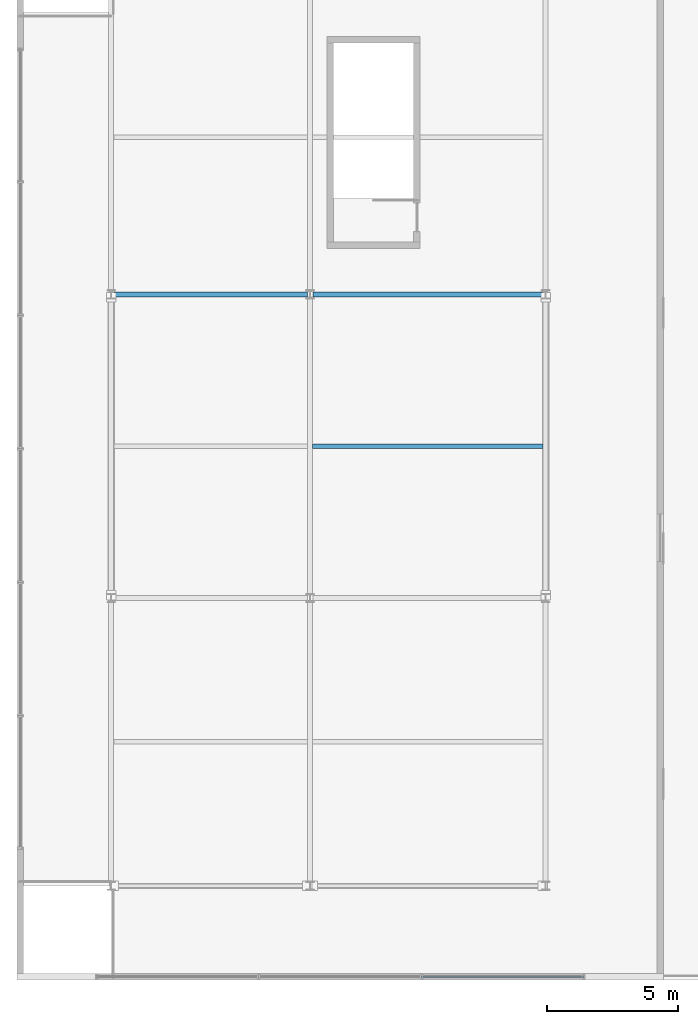
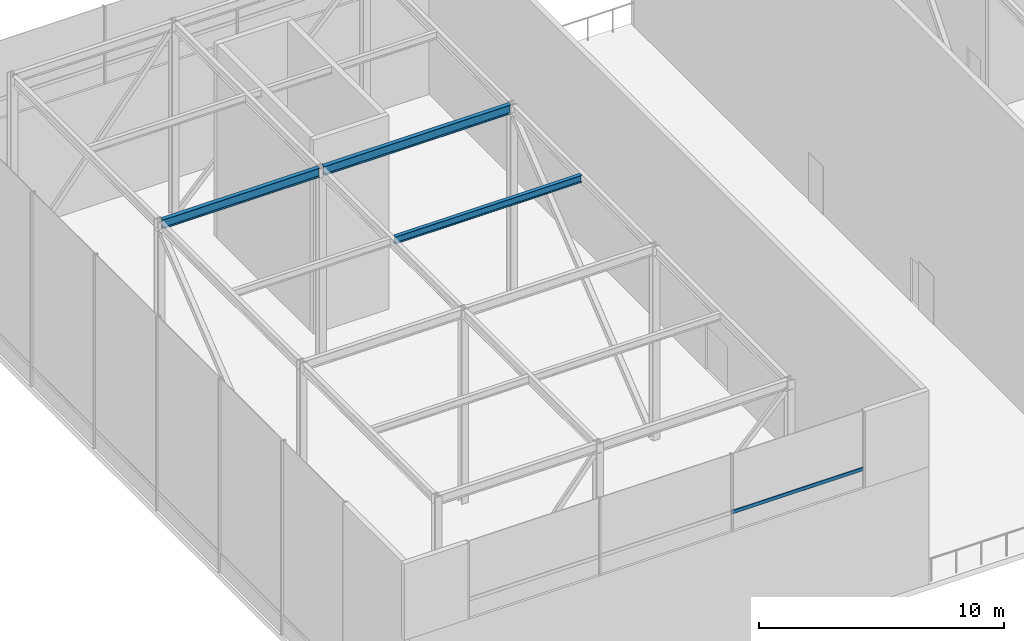
# One storey, part 10 of 42: 3 beams, 1 member, 1 element without a shape of its own.
"""IFC4 building model written with IfcOpenShell, lengths in metres."""

from ifc_helpers import new_model, si_unit, direction, frame, origin, origin_2d, place, context, subcontext, project, spatial, hollow_rectangle, i_section, extrude, material, layer, layer_set, material_profile, profile_set, type_object, element, aggregate, save


model = new_model("IFC4")

# Units and contexts
model_context = context("Model", 3, precision=1e-05, world=origin(), true_north=direction((0.0, 1.0)))
body_context = subcontext(model_context, "Body", "Model", "MODEL_VIEW")
ifc_project = project(units=[si_unit("LENGTHUNIT", "METRE"), si_unit("AREAUNIT", "SQUARE_METRE"), si_unit("VOLUMEUNIT", "CUBIC_METRE"), si_unit("PLANEANGLEUNIT", "RADIAN"), si_unit("MASSUNIT", "GRAM", prefix="KILO")], contexts=[model_context])

# Site, building, storey
site_placement = place(None, origin())
site = spatial("IfcSite", under=ifc_project, at=site_placement, CompositionType="ELEMENT")
building_placement = place(site_placement, origin())
building = spatial("IfcBuilding", under=site, at=building_placement, Name="Korimba Cascade Residences", CompositionType="ELEMENT")
storey_placement = place(building_placement, frame((0.0, 0.0, 207.60009765625)))
storey = spatial("IfcBuildingStorey", under=building, at=storey_placement, Name="L60", CompositionType="ELEMENT", Elevation=207.60009765625)

# Beams
ifc_material_1 = material(Name="Steel S355", Category="steel")
ifc_material_profile_1 = material_profile(ifc_material_1, i_section(OverallWidth=0.172119140625, OverallDepth=0.35791015625, WebThickness=0.008056640625, FlangeThickness=0.012939453125, FilletRadius=0.01025390625, at=origin_2d()), Name="Steel S355")
ifc_profile_set_1 = profile_set([ifc_material_profile_1], Name="Steel S355")
beam_type_1 = type_object("IfcBeamType", Name="BM-STL-UB356", PredefinedType="JOIST", material=ifc_profile_set_1)
beam_1_placement = place(storey_placement, frame((82.199951171875, 12.60009765625, 9.470947265625), z_axis=(1.0, 0.0, 0.0), x_axis=(0.0, 1.0, 0.0)))
element("IfcBeam", 1, at=beam_1_placement, inside=storey, type_object=beam_type_1, Name="L60 Crown Cap Joist W2.2", PredefinedType="JOIST", context=body_context, shape_type="SweptSolid", body=[
    extrude(i_section(OverallWidth=0.172119140625, OverallDepth=0.35791015625, WebThickness=0.008056640625, FlangeThickness=0.012939453125, FilletRadius=0.01025390625, at=origin_2d()), origin(), (0.0, 0.0, 1.0), 8.800048828125),
])
ifc_material_profile_2 = material_profile(ifc_material_1, i_section(OverallWidth=0.19140625, OverallDepth=0.4599609375, WebThickness=0.010009765625, FlangeThickness=0.01611328125, FilletRadius=0.01025390625, at=origin_2d()), Name="Steel S355")
ifc_profile_set_2 = profile_set([ifc_material_profile_2], Name="Steel S355")
beam_type_2 = type_object("IfcBeamType", Name="BM-STL-UB457", PredefinedType="JOIST", material=ifc_profile_set_2)
beam_2_placement = place(storey_placement, frame((74.60498046875, 18.39990234375, 9.419921875), z_axis=(1.0, 0.0, 0.0), x_axis=(0.0, 1.0, 0.0)))
element("IfcBeam", 2, at=beam_2_placement, inside=storey, type_object=beam_type_2, Name="L60 Crown Cap Ring Beam W3.1", PredefinedType="JOIST", context=body_context, shape_type="SweptSolid", body=[
    extrude(i_section(OverallWidth=0.19140625, OverallDepth=0.4599609375, WebThickness=0.010009765625, FlangeThickness=0.01611328125, FilletRadius=0.01025390625, at=origin_2d()), origin(), (0.0, 0.0, 1.0), 7.39013671875),
])
beam_3_placement = place(storey_placement, frame((82.205078125, 18.39990234375, 9.419921875), z_axis=(1.0, 0.0, 0.0), x_axis=(0.0, 1.0, 0.0)))
element("IfcBeam", 3, at=beam_3_placement, inside=storey, type_object=beam_type_2, Name="L60 Crown Cap Ring Beam W3.2", PredefinedType="JOIST", context=body_context, shape_type="SweptSolid", body=[
    extrude(i_section(OverallWidth=0.19140625, OverallDepth=0.4599609375, WebThickness=0.010009765625, FlangeThickness=0.01611328125, FilletRadius=0.01025390625, at=origin_2d()), origin(), (0.0, 0.0, 1.0), 8.7900390625),
])

# Curtain wall, member
ifc_material_2 = material(Name="Anodised Aluminium Curtain Wall Framing", Category="aluminium")
ifc_layer = layer(ifc_material_2, 0.179931640625)
ifc_layer_set = layer_set([ifc_layer], Name="Anodised Aluminium Curtain Wall Framing")
curtain_wall_type = type_object("IfcCurtainWallType", Name="CW-CRNE-SYS6", PredefinedType="NOTDEFINED", material=ifc_layer_set)
curtain_wall_placement = place(storey_placement, origin())
curtain_wall = element("IfcCurtainWall", 4, at=curtain_wall_placement, inside=storey, type_object=curtain_wall_type, Name="L60 Curtain Wall CW-L60-CRN-W-3", PredefinedType="NOTDEFINED")
ifc_material_3 = material(Name="Anodised Aluminium Transom", Category="aluminium")
ifc_material_profile_3 = material_profile(ifc_material_3, hollow_rectangle(XDim=0.070068359375, YDim=0.179931640625, WallThickness=0.0048828125, InnerFilletRadius=0.0048828125, OuterFilletRadius=0.010009765625, at=origin_2d()), Name="Anodised Aluminium Transom")
ifc_profile_set_3 = profile_set([ifc_material_profile_3], Name="Anodised Aluminium Transom")
member_type = type_object("IfcMemberType", Name="CWM-TRN-150", PredefinedType="USERDEFINED", material=ifc_profile_set_3)
member_placement = place(storey_placement, frame((86.36669921875, -7.675048828125, 6.75), z_axis=(1.0, 0.0, 0.0), x_axis=(0.0, 1.0, 0.0)))
member = element("IfcMember", 5, at=member_placement, type_object=member_type, Name="CW-L60-CRN-W-3 Transom 3", ObjectType="TRANSOM", PredefinedType="USERDEFINED", context=body_context, shape_type="SweptSolid", body=[
    extrude(hollow_rectangle(XDim=0.070068359375, YDim=0.179931640625, WallThickness=0.0048828125, InnerFilletRadius=0.0048828125, OuterFilletRadius=0.010009765625, at=origin_2d()), origin(), (0.0, 0.0, 1.0), 6.193359375),
])
aggregate(curtain_wall, [member])

save(model, "model.ifc")
